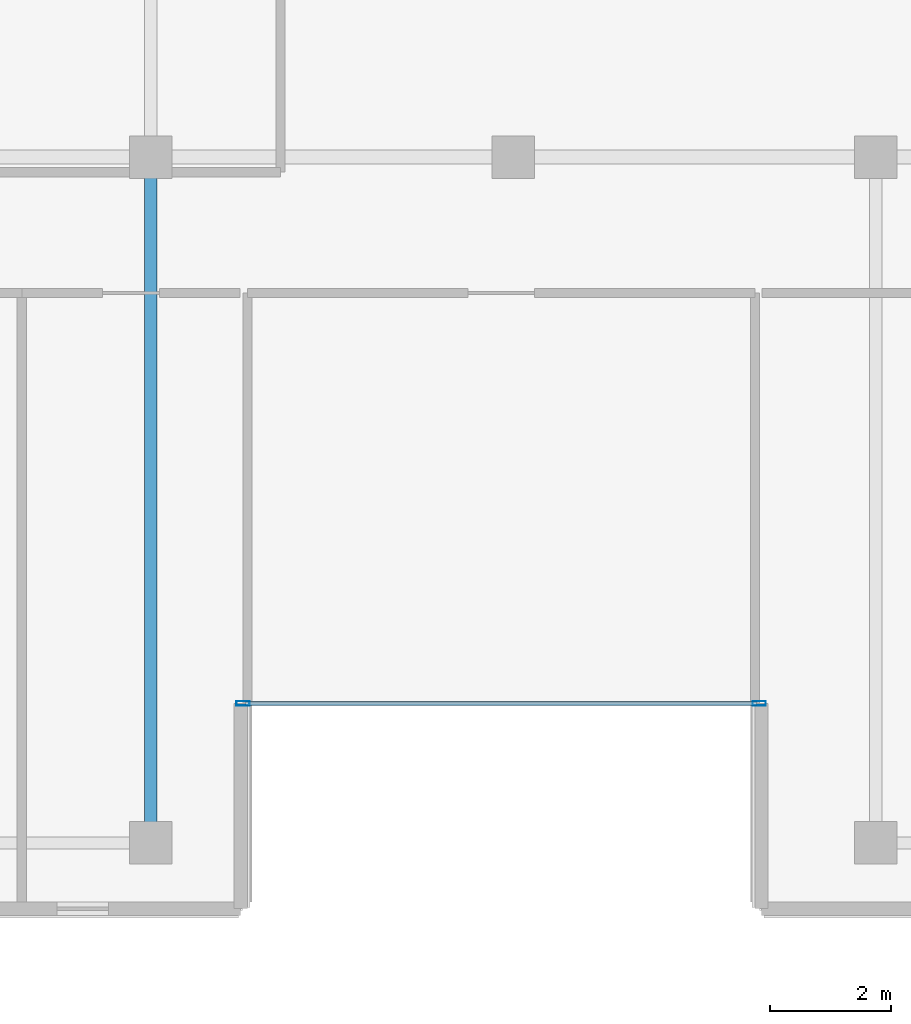
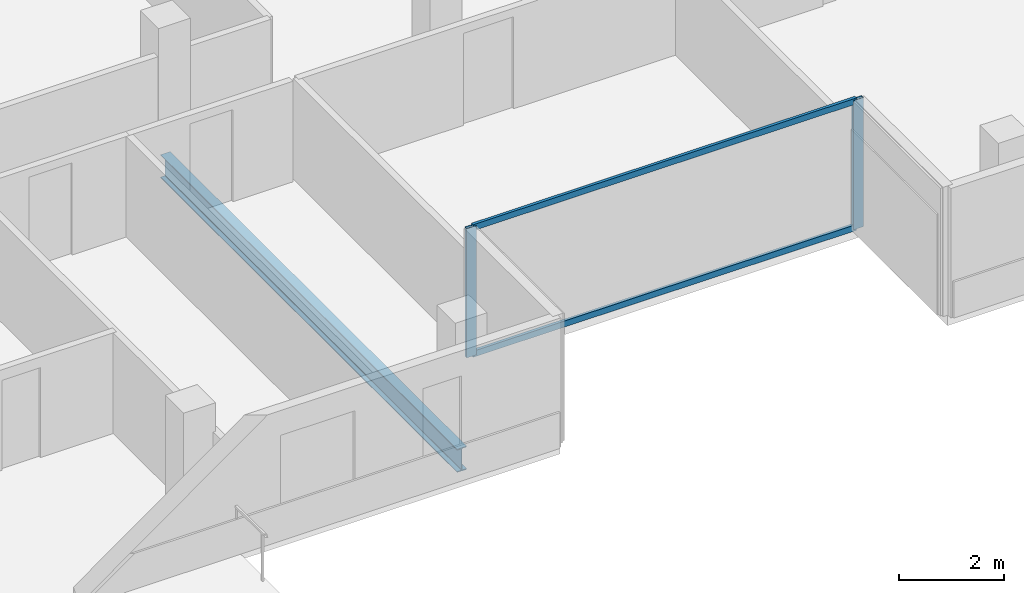
# One storey, part 4 of 24: 4 members, 1 beam, 1 element without a shape of its own.
"""IFC4 building model written with IfcOpenShell, lengths in metres."""

from ifc_helpers import new_model, si_unit, direction, frame, origin, origin_2d, place, context, subcontext, project, spatial, hollow_rectangle, i_section, extrude, material, layer, layer_set, material_profile, profile_set, type_object, element, aggregate, save


model = new_model("IFC4")

# Units and contexts
model_context = context("Model", 3, precision=1e-05, world=origin(), true_north=direction((0.0, 1.0)))
body_context = subcontext(model_context, "Body", "Model", "MODEL_VIEW")
ifc_project = project(units=[si_unit("LENGTHUNIT", "METRE"), si_unit("AREAUNIT", "SQUARE_METRE"), si_unit("VOLUMEUNIT", "CUBIC_METRE"), si_unit("PLANEANGLEUNIT", "RADIAN"), si_unit("MASSUNIT", "GRAM", prefix="KILO")], contexts=[model_context])

# Site, building, storey
site_placement = place(None, origin())
site = spatial("IfcSite", under=ifc_project, at=site_placement, CompositionType="ELEMENT")
building_placement = place(site_placement, origin())
building = spatial("IfcBuilding", under=site, at=building_placement, Name="Tanjung Sevakor Pilgrim Tower", CompositionType="ELEMENT")
storey_placement = place(building_placement, frame((0.0, 0.0, 226.050048828125)))
storey = spatial("IfcBuildingStorey", under=building, at=storey_placement, Name="L63", CompositionType="ELEMENT", Elevation=226.050048828125)

# Beam
ifc_material_1 = material(Name="Steel S355J2", Category="steel")
ifc_material_profile_1 = material_profile(ifc_material_1, i_section(OverallWidth=0.2119140625, OverallDepth=0.54443359375, WebThickness=0.0126953125, FlangeThickness=0.021240234375, FilletRadius=0.0126953125, at=origin_2d()))
ifc_profile_set_1 = profile_set([ifc_material_profile_1], Name="Steel S355J2")
beam_type = type_object("IfcBeamType", Name="BM-B-G5-UB_533x210x122", PredefinedType="BEAM", material=ifc_profile_set_1)
beam_placement = place(storey_placement, frame((42.0, 13.25, -0.492431640625), z_axis=(0.0, 1.0, 0.0), x_axis=(-1.0, 0.0, 0.0)))
element("IfcBeam", 1, at=beam_placement, inside=storey, type_object=beam_type, Name="L63 MAIN Girder 003", PredefinedType="BEAM", context=body_context, shape_type="SweptSolid", body=[
    extrude(i_section(OverallWidth=0.2119140625, OverallDepth=0.54443359375, WebThickness=0.0126953125, FlangeThickness=0.021240234375, FilletRadius=0.0126953125, at=origin_2d()), origin(), (0.0, 0.0, 1.0), 11.35009765625),
])

# Curtain wall, members
ifc_material_2 = material(Name="Aluminium 6063-T6 and Low-E Glass", Category="aluminium")
ifc_layer = layer(ifc_material_2, 0.179931640625)
ifc_layer_set = layer_set([ifc_layer], Name="CW-SYS-CLEFT")
curtain_wall_type = type_object("IfcCurtainWallType", Name="CW-SYS-CLEFT", PredefinedType="NOTDEFINED", material=ifc_layer_set)
curtain_wall_placement = place(storey_placement, origin())
curtain_wall = element("IfcCurtainWall", 2, at=curtain_wall_placement, inside=storey, type_object=curtain_wall_type, Name="L63 Curtain Wall CW-CLF-L63-2", PredefinedType="NOTDEFINED")
ifc_material_3 = material(Name="Aluminium 6063-T6", Category="aluminium")
ifc_material_profile_2 = material_profile(ifc_material_3, hollow_rectangle(XDim=0.074951171875, YDim=0.219970703125, WallThickness=0.0048828125, at=origin_2d()))
ifc_profile_set_2 = profile_set([ifc_material_profile_2], Name="Aluminium 6063-T6")
member_type_1 = type_object("IfcMemberType", Name="TYPE-CWM-2", PredefinedType="MULLION", material=ifc_profile_set_2)
member_1_placement = place(storey_placement, frame((43.527587890625, 15.56005859375, 0.0), z_axis=(0.0, 0.0, 1.0), x_axis=(0.0, 1.0, 0.0)))
member_1 = element("IfcMember", 3, at=member_1_placement, type_object=member_type_1, Name="CW-CLF mullion 1", PredefinedType="MULLION", context=body_context, shape_type="SweptSolid", body=[
    extrude(hollow_rectangle(XDim=0.074951171875, YDim=0.219970703125, WallThickness=0.0048828125, at=origin_2d()), origin(), (0.0, 0.0, 1.0), 3.02001953125),
])
member_2_placement = place(storey_placement, frame((52.072509765625, 15.56005859375, 0.0), z_axis=(0.0, 0.0, 1.0), x_axis=(0.0, 1.0, 0.0)))
member_2 = element("IfcMember", 4, at=member_2_placement, type_object=member_type_1, Name="CW-CLF mullion 2", PredefinedType="MULLION", context=body_context, shape_type="SweptSolid", body=[
    extrude(hollow_rectangle(XDim=0.074951171875, YDim=0.219970703125, WallThickness=0.0048828125, at=origin_2d()), origin(), (0.0, 0.0, 1.0), 3.02001953125),
])
ifc_material_4 = material(Name="Aluminium 6063-T6", Category="aluminium")
ifc_material_profile_3 = material_profile(ifc_material_4, hollow_rectangle(XDim=0.06494140625, YDim=0.139892578125, WallThickness=0.00390625, at=origin_2d()))
ifc_profile_set_3 = profile_set([ifc_material_profile_3], Name="Aluminium 6063-T6")
member_type_2 = type_object("IfcMemberType", Name="TYPE-CWT-1", PredefinedType="USERDEFINED", material=ifc_profile_set_3)
member_3_placement = place(storey_placement, frame((43.56494140625, 15.56005859375, 0.032470703125), z_axis=(1.0, 0.0, 0.0), x_axis=(0.0, 1.0, 0.0)))
member_3 = element("IfcMember", 5, at=member_3_placement, type_object=member_type_2, Name="CW-CLF transom 1.1", ObjectType="TRANSOM", PredefinedType="USERDEFINED", context=body_context, shape_type="SweptSolid", body=[
    extrude(hollow_rectangle(XDim=0.06494140625, YDim=0.139892578125, WallThickness=0.00390625, at=origin_2d()), origin(), (0.0, 0.0, 1.0), 8.469970703125),
])
member_4_placement = place(storey_placement, frame((43.56494140625, 15.56005859375, 2.987548828125), z_axis=(1.0, 0.0, 0.0), x_axis=(0.0, 1.0, 0.0)))
member_4 = element("IfcMember", 6, at=member_4_placement, type_object=member_type_2, Name="CW-CLF transom 1.2", ObjectType="TRANSOM", PredefinedType="USERDEFINED", context=body_context, shape_type="SweptSolid", body=[
    extrude(hollow_rectangle(XDim=0.06494140625, YDim=0.139892578125, WallThickness=0.00390625, at=origin_2d()), origin(), (0.0, 0.0, 1.0), 8.469970703125),
])
aggregate(curtain_wall, [member_1, member_2, member_3, member_4])

save(model, "model.ifc")
